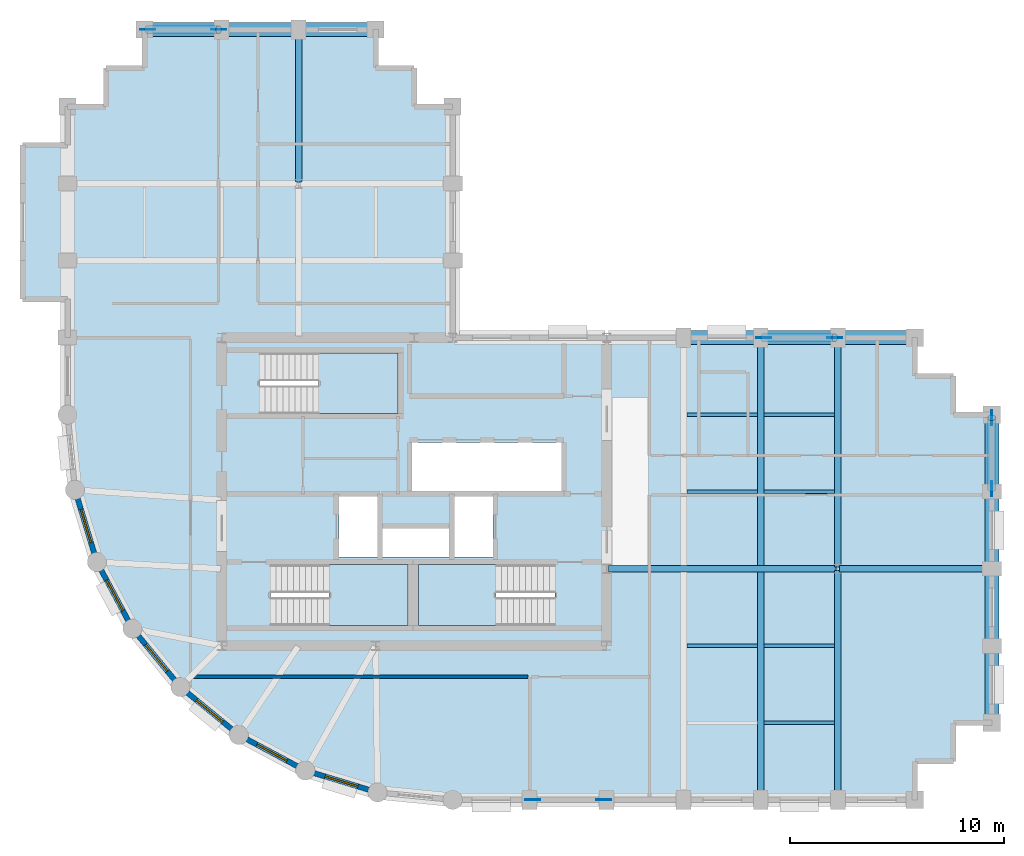
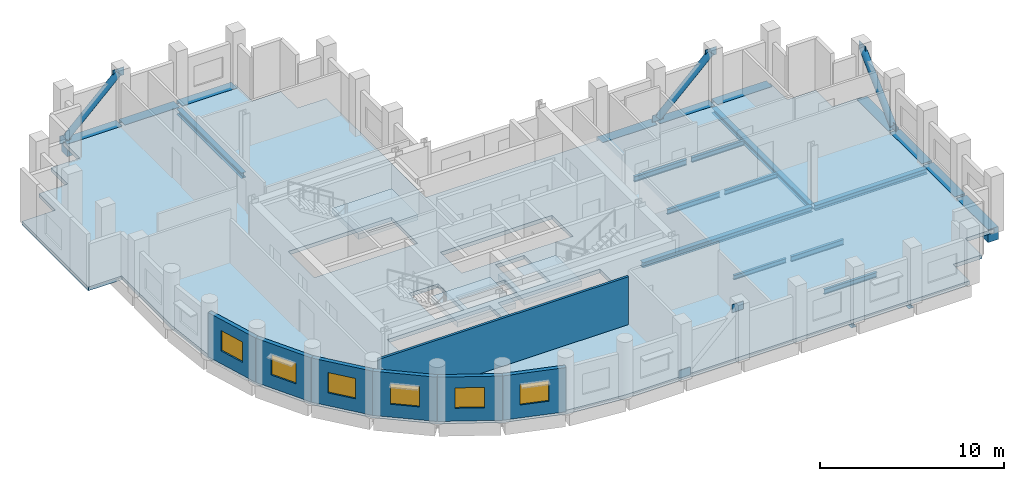
# One storey, part 2 of 8: 23 beams, 8 plates, 7 walls, 6 windows, 4 slabs, 3 members, 6 openings, 3 elements without a shape of their own.
"""IFC4 building model written with IfcOpenShell, lengths in metres."""

from ifc_helpers import new_model, si_unit, direction, frame, frame_2d, origin, origin_2d, place, context, subcontext, project, spatial, polyline, rectangle, hollow_circle, i_section, outline, extrude, material, layer, layer_set, material_profile, profile_set, type_object, element, fill, aggregate, save


model = new_model("IFC4")

# Units and contexts
model_context = context("Model", 3, precision=1e-05, world=origin(), true_north=direction((0.0, 1.0)))
body_context = subcontext(model_context, "Body", "Model", "MODEL_VIEW")
ifc_project = project(units=[si_unit("LENGTHUNIT", "METRE"), si_unit("AREAUNIT", "SQUARE_METRE"), si_unit("VOLUMEUNIT", "CUBIC_METRE"), si_unit("PLANEANGLEUNIT", "RADIAN"), si_unit("MASSUNIT", "GRAM", prefix="KILO")], contexts=[model_context])

# Site, building, storey
site_placement = place(None, origin())
site = spatial("IfcSite", under=ifc_project, at=site_placement, CompositionType="ELEMENT")
building_placement = place(site_placement, origin())
building = spatial("IfcBuilding", under=site, at=building_placement, Name="Solnavia Interchange Tower", CompositionType="ELEMENT")
storey_placement = place(building_placement, frame((0.0, 0.0, 197.60009765625)))
storey = spatial("IfcBuildingStorey", under=building, at=storey_placement, Name="L49", CompositionType="ELEMENT", Elevation=197.60009765625)

# Beams
ifc_material_1 = material(Name="Steel S460", Category="steel")
ifc_material_profile_1 = material_profile(ifc_material_1, i_section(OverallWidth=0.300048828125, OverallDepth=0.360107421875, WebThickness=0.012451171875, FlangeThickness=0.0224609375, FilletRadius=0.027099609375, at=origin_2d()), Name="HEB 360")
ifc_profile_set_1 = profile_set([ifc_material_profile_1], Name="Steel S460")
beam_type_1 = type_object("IfcBeamType", Name="Beam-Girder-HEB360", PredefinedType="BEAM", material=ifc_profile_set_1)
beam_1_placement = place(storey_placement, frame((32.47998046875, 14.39990234375, -0.43017578125), z_axis=(1.0, 0.0, 0.0), x_axis=(0.0, 1.0, 0.0)))
element("IfcBeam", 1, at=beam_1_placement, inside=storey, type_object=beam_type_1, Name="GRD-L49-ES01 East wing spine girder", PredefinedType="BEAM", context=body_context, shape_type="SweptSolid", body=[
    extrude(i_section(OverallWidth=0.300048828125, OverallDepth=0.360107421875, WebThickness=0.012451171875, FlangeThickness=0.0224609375, FilletRadius=0.027099609375, at=origin_2d()), origin(), (0.0, 0.0, 1.0), 10.64013671875),
])
beam_2_placement = place(storey_placement, frame((43.280029296875, 14.39990234375, -0.43017578125), z_axis=(1.0, 0.0, 0.0), x_axis=(0.0, 1.0, 0.0)))
element("IfcBeam", 2, at=beam_2_placement, inside=storey, type_object=beam_type_1, Name="GRD-L49-ES02 East wing spine girder", PredefinedType="BEAM", context=body_context, shape_type="SweptSolid", body=[
    extrude(i_section(OverallWidth=0.300048828125, OverallDepth=0.360107421875, WebThickness=0.012451171875, FlangeThickness=0.0224609375, FilletRadius=0.027099609375, at=origin_2d()), origin(), (0.0, 0.0, 1.0), 7.0400390625),
])
beam_3_placement = place(storey_placement, frame((39.60009765625, 3.679931640625, -0.43017578125), z_axis=(0.0, 1.0, 0.0), x_axis=(-1.0, 0.0, 0.0)))
element("IfcBeam", 3, at=beam_3_placement, inside=storey, type_object=beam_type_1, Name="GRD-L49-EW04 East wing primary floor girder", PredefinedType="BEAM", context=body_context, shape_type="SweptSolid", body=[
    extrude(i_section(OverallWidth=0.300048828125, OverallDepth=0.360107421875, WebThickness=0.012451171875, FlangeThickness=0.0224609375, FilletRadius=0.027099609375, at=origin_2d()), origin(), (0.0, 0.0, 1.0), 21.440185546875),
])
beam_4_placement = place(storey_placement, frame((18.0, 32.47998046875, -0.43017578125), z_axis=(0.0, 1.0, 0.0), x_axis=(-1.0, 0.0, 0.0)))
element("IfcBeam", 4, at=beam_4_placement, inside=storey, type_object=beam_type_1, Name="GRD-L49-NS08 North wing spine girder", PredefinedType="BEAM", context=body_context, shape_type="SweptSolid", body=[
    extrude(i_section(OverallWidth=0.300048828125, OverallDepth=0.360107421875, WebThickness=0.012451171875, FlangeThickness=0.0224609375, FilletRadius=0.027099609375, at=origin_2d()), origin(), (0.0, 0.0, 1.0), 7.0400390625),
])
ifc_material_2 = material(Name="Steel S355", Category="steel")
ifc_material_profile_2 = material_profile(ifc_material_2, i_section(OverallWidth=0.14990234375, OverallDepth=0.300048828125, WebThickness=0.007080078125, FlangeThickness=0.0107421875, FilletRadius=0.014892578125, at=origin_2d()), Name="IPE 300")
ifc_profile_set_2 = profile_set([ifc_material_profile_2], Name="Steel S355")
beam_type_2 = type_object("IfcBeamType", Name="Beam-Joist-IPE300", PredefinedType="JOIST", material=ifc_profile_set_2)
for number, where, z_axis, x_axis, name in (
    (5, (36.14990234375, 10.800048828125, -0.400146484375), (1.0, 0.0, 0.0), (0.0, 1.0, 0.0), "JST-L49-E03 East wing secondary joist"),
    (6, (39.75, 18.0, -0.400146484375), (1.0, 0.0, 0.0), (0.0, 1.0, 0.0), "JST-L49-E06 East wing secondary joist"),
):
    element("IfcBeam", number, at=place(storey_placement, frame(where, z_axis=z_axis, x_axis=x_axis)), inside=storey, type_object=beam_type_2, Name=name, PredefinedType="JOIST", context=body_context, shape_type="SweptSolid", body=[
        extrude(i_section(OverallWidth=0.14990234375, OverallDepth=0.300048828125, WebThickness=0.007080078125, FlangeThickness=0.0107421875, FilletRadius=0.014892578125, at=origin_2d()), origin(), (0.0, 0.0, 1.0), 3.300048828125),
    ])
ifc_material_profile_3 = material_profile(ifc_material_2, i_section(OverallWidth=0.159912109375, OverallDepth=0.330078125, WebThickness=0.007568359375, FlangeThickness=0.011474609375, FilletRadius=0.01806640625, at=origin_2d()), Name="IPE 330")
ifc_profile_set_3 = profile_set([ifc_material_profile_3], Name="Steel S355")
beam_type_3 = type_object("IfcBeamType", Name="Beam-Joist-IPE330", PredefinedType="JOIST", material=ifc_profile_set_3)
for number, where, z_axis, x_axis, name in (
    (7, (39.75, 7.199951171875, -0.4150390625), (1.0, 0.0, 0.0), (0.0, 1.0, 0.0), "JST-L49-E02 East wing secondary joist"),
    (8, (36.14990234375, 18.0, -0.4150390625), (1.0, 0.0, 0.0), (0.0, 1.0, 0.0), "JST-L49-E05 East wing secondary joist"),
    (9, (39.75, 21.60009765625, -0.4150390625), (1.0, 0.0, 0.0), (0.0, 1.0, 0.0), "JST-L49-E08 East wing secondary joist"),
):
    element("IfcBeam", number, at=place(storey_placement, frame(where, z_axis=z_axis, x_axis=x_axis)), inside=storey, type_object=beam_type_3, Name=name, PredefinedType="JOIST", context=body_context, shape_type="SweptSolid", body=[
        extrude(i_section(OverallWidth=0.159912109375, OverallDepth=0.330078125, WebThickness=0.007568359375, FlangeThickness=0.011474609375, FilletRadius=0.01806640625, at=origin_2d()), origin(), (0.0, 0.0, 1.0), 3.300048828125),
    ])
ifc_material_profile_4 = material_profile(ifc_material_2, i_section(OverallWidth=0.169921875, OverallDepth=0.360107421875, WebThickness=0.008056640625, FlangeThickness=0.0126953125, FilletRadius=0.01806640625, at=origin_2d()), Name="IPE 360")
ifc_profile_set_4 = profile_set([ifc_material_profile_4], Name="Steel S355")
beam_type_4 = type_object("IfcBeamType", Name="Beam-Joist-IPE360", PredefinedType="JOIST", material=ifc_profile_set_4)
for number, where, z_axis, x_axis, name in (
    (10, (39.75, 10.800048828125, -0.43017578125), (1.0, 0.0, 0.0), (0.0, 1.0, 0.0), "JST-L49-E04 East wing secondary joist"),
    (11, (36.14990234375, 21.60009765625, -0.43017578125), (1.0, 0.0, 0.0), (0.0, 1.0, 0.0), "JST-L49-E07 East wing secondary joist"),
):
    element("IfcBeam", number, at=place(storey_placement, frame(where, z_axis=z_axis, x_axis=x_axis)), inside=storey, type_object=beam_type_4, Name=name, PredefinedType="JOIST", context=body_context, shape_type="SweptSolid", body=[
        extrude(i_section(OverallWidth=0.169921875, OverallDepth=0.360107421875, WebThickness=0.008056640625, FlangeThickness=0.0126953125, FilletRadius=0.01806640625, at=origin_2d()), origin(), (0.0, 0.0, 1.0), 3.300048828125),
    ])
ifc_material_profile_5 = material_profile(ifc_material_2, i_section(OverallWidth=0.300048828125, OverallDepth=0.35009765625, WebThickness=0.010009765625, FlangeThickness=0.017578125, FilletRadius=0.027099609375, at=origin_2d()), Name="HEA 360")
ifc_profile_set_5 = profile_set([ifc_material_profile_5], Name="Steel S355")
beam_type_5 = type_object("IfcBeamType", Name="Beam-Primary-HEA360", PredefinedType="BEAM", material=ifc_profile_set_5)
for number, where, z_axis, x_axis, name in (
    (12, (43.199951171875, 3.679931640625, -0.425048828125), (0.0, 1.0, 0.0), (-1.0, 0.0, 0.0), "GRD-L49-EW05 East wing primary floor girder"),
    (13, (43.199951171875, 14.47998046875, -0.425048828125), (0.0, 1.0, 0.0), (-1.0, 0.0, 0.0), "GRD-L49-EW06 East wing primary floor girder"),
):
    element("IfcBeam", number, at=place(storey_placement, frame(where, z_axis=z_axis, x_axis=x_axis)), inside=storey, type_object=beam_type_5, Name=name, PredefinedType="BEAM", context=body_context, shape_type="SweptSolid", body=[
        extrude(i_section(OverallWidth=0.300048828125, OverallDepth=0.35009765625, WebThickness=0.010009765625, FlangeThickness=0.017578125, FilletRadius=0.027099609375, at=origin_2d()), origin(), (0.0, 0.0, 1.0), 10.64013671875),
    ])
ifc_material_3 = material(Name="Concrete C50/60", Category="concrete")
ifc_material_profile_6 = material_profile(ifc_material_3, rectangle(XDim=0.64990234375, YDim=0.85009765625, at=origin_2d()), Name="RC 650x850")
ifc_profile_set_6 = profile_set([ifc_material_profile_6], Name="Concrete C50/60")
beam_type_6 = type_object("IfcBeamType", Name="Beam-Spandrel-RC650x850", PredefinedType="SPANDREL", material=ifc_profile_set_6)
beam_5_placement = place(storey_placement, frame((50.39990234375, 7.280029296875, -0.425048828125), z_axis=(0.0, 1.0, 0.0), x_axis=(-1.0, 0.0, 0.0)))
element("IfcBeam", 14, at=beam_5_placement, inside=storey, type_object=beam_type_6, Name="SPB-L49-15 Framed-tube perimeter spandrel beam", PredefinedType="SPANDREL", context=body_context, shape_type="SweptSolid", body=[
    extrude(rectangle(XDim=0.64990234375, YDim=0.85009765625, at=origin_2d()), origin(), (0.0, 0.0, 1.0), 3.43994140625),
])
beam_6_placement = place(storey_placement, frame((50.39990234375, 10.8798828125, -0.425048828125), z_axis=(0.0, 1.0, 0.0), x_axis=(-1.0, 0.0, 0.0)))
element("IfcBeam", 15, at=beam_6_placement, inside=storey, type_object=beam_type_6, Name="SPB-L49-16 Framed-tube perimeter spandrel beam", PredefinedType="SPANDREL", context=body_context, shape_type="SweptSolid", body=[
    extrude(rectangle(XDim=0.64990234375, YDim=0.85009765625, at=origin_2d()), origin(), (0.0, 0.0, 1.0), 3.440185546875),
])
for number, where, z_axis, x_axis, name in (
    (16, (50.39990234375, 14.47998046875, -0.425048828125), (0.0, 1.0, 0.0), (-1.0, 0.0, 0.0), "SPB-L49-17 Framed-tube perimeter spandrel beam"),
    (17, (50.39990234375, 18.080078125, -0.425048828125), (0.0, 1.0, 0.0), (-1.0, 0.0, 0.0), "SPB-L49-18 Framed-tube perimeter spandrel beam"),
    (18, (46.719970703125, 25.199951171875, -0.425048828125), (-1.0, 0.0, 0.0), (0.0, -1.0, 0.0), "SPB-L49-19 Framed-tube perimeter spandrel beam"),
):
    element("IfcBeam", number, at=place(storey_placement, frame(where, z_axis=z_axis, x_axis=x_axis)), inside=storey, type_object=beam_type_6, Name=name, PredefinedType="SPANDREL", context=body_context, shape_type="SweptSolid", body=[
        extrude(rectangle(XDim=0.64990234375, YDim=0.85009765625, at=origin_2d()), origin(), (0.0, 0.0, 1.0), 3.43994140625),
    ])
beam_7_placement = place(storey_placement, frame((43.1201171875, 25.199951171875, -0.425048828125), z_axis=(-1.0, 0.0, 0.0), x_axis=(0.0, -1.0, 0.0)))
element("IfcBeam", 19, at=beam_7_placement, inside=storey, type_object=beam_type_6, Name="SPB-L49-20 Framed-tube perimeter spandrel beam", PredefinedType="SPANDREL", context=body_context, shape_type="SweptSolid", body=[
    extrude(rectangle(XDim=0.64990234375, YDim=0.85009765625, at=origin_2d()), origin(), (0.0, 0.0, 1.0), 3.440185546875),
])
for number, where, z_axis, x_axis, name in (
    (20, (39.52001953125, 25.199951171875, -0.425048828125), (-1.0, 0.0, 0.0), (0.0, -1.0, 0.0), "SPB-L49-21 Framed-tube perimeter spandrel beam"),
    (21, (21.52001953125, 39.60009765625, -0.425048828125), (-1.0, 0.0, 0.0), (0.0, -1.0, 0.0), "SPB-L49-27 Framed-tube perimeter spandrel beam"),
    (22, (17.919921875, 39.60009765625, -0.425048828125), (-1.0, 0.0, 0.0), (0.0, -1.0, 0.0), "SPB-L49-28 Framed-tube perimeter spandrel beam"),
):
    element("IfcBeam", number, at=place(storey_placement, frame(where, z_axis=z_axis, x_axis=x_axis)), inside=storey, type_object=beam_type_6, Name=name, PredefinedType="SPANDREL", context=body_context, shape_type="SweptSolid", body=[
        extrude(rectangle(XDim=0.64990234375, YDim=0.85009765625, at=origin_2d()), origin(), (0.0, 0.0, 1.0), 3.43994140625),
    ])
beam_8_placement = place(storey_placement, frame((14.320068359375, 39.60009765625, -0.425048828125), z_axis=(-1.0, 0.0, 0.0), x_axis=(0.0, -1.0, 0.0)))
element("IfcBeam", 23, at=beam_8_placement, inside=storey, type_object=beam_type_6, Name="SPB-L49-29 Framed-tube perimeter spandrel beam", PredefinedType="SPANDREL", context=body_context, shape_type="SweptSolid", body=[
    extrude(rectangle(XDim=0.64990234375, YDim=0.85009765625, at=origin_2d()), origin(), (0.0, 0.0, 1.0), 3.440185546875),
])

# Members
ifc_material_profile_7 = material_profile(ifc_material_1, hollow_circle(Radius=0.203125, WallThickness=0.02001953125, at=origin_2d()), Name="CHS 406.4x20")
ifc_profile_set_7 = profile_set([ifc_material_profile_7], Name="Steel S460")
member_type = type_object("IfcMemberType", Name="Brace-Perim-CHS406", PredefinedType="BRACE", material=ifc_profile_set_7)
for number, where, z_axis, x_axis, name in (
    (24, (50.39990234375, 18.139892578125, 0.179931640625), (0.0, 0.721096918576, 0.692834203847), (-1.0, 0.0, 0.0), "BRC-L49-02 Perimeter tube diagonal brace"),
    (25, (10.93994140625, 39.60009765625, 0.179931640625), (0.721096918576, 0.0, 0.692834203847), (0.0, 1.0, 0.0), "BRC-L49-03 Perimeter tube diagonal brace"),
    (26, (39.739990234375, 25.199951171875, 0.179931640625), (0.721096918576, 0.0, 0.692834203847), (0.0, 1.0, 0.0), "BRC-L49-04 Perimeter tube diagonal brace"),
):
    element("IfcMember", number, at=place(storey_placement, frame(where, z_axis=z_axis, x_axis=x_axis)), inside=storey, type_object=member_type, Name=name, PredefinedType="BRACE", context=body_context, shape_type="SweptSolid", body=[
        extrude(hollow_circle(Radius=0.203125, WallThickness=0.02001953125, at=origin_2d()), origin(), (0.0, 0.0, 1.0), 4.604248046875),
    ])

# Plates
ifc_layer_1 = layer(ifc_material_1, 0.030029296875)
ifc_layer_set_1 = layer_set([ifc_layer_1], Name="Steel S460")
plate_type = type_object("IfcPlateType", Name="Plate-Gusset-700x520x30", PredefinedType="USERDEFINED", material=ifc_layer_set_1)
for number, where, z_axis, x_axis, name in (
    (27, (28.93994140625, 3.60009765625, -0.080078125), (0.0, 0.0, 1.0), (1.0, 0.0, 0.0), "PLT-L49-GP01 Perimeter brace gusset plate"),
    (28, (32.260009765625, 3.60009765625, 3.10986328125), (0.0, 0.0, 1.0), (1.0, 0.0, 0.0), "PLT-L49-GP02 Perimeter brace gusset plate"),
    (29, (50.39990234375, 18.139892578125, -0.080078125), (0.0, 0.0, 1.0), (0.0, 1.0, 0.0), "PLT-L49-GP03 Perimeter brace gusset plate"),
    (30, (50.39990234375, 21.4599609375, 3.10986328125), (0.0, 0.0, 1.0), (0.0, 1.0, 0.0), "PLT-L49-GP04 Perimeter brace gusset plate"),
    (31, (10.93994140625, 39.60009765625, -0.080078125), (0.0, 0.0, 1.0), (1.0, 0.0, 0.0), "PLT-L49-GP05 Perimeter brace gusset plate"),
    (32, (14.260009765625, 39.60009765625, 3.10986328125), (0.0, 0.0, 1.0), (1.0, 0.0, 0.0), "PLT-L49-GP06 Perimeter brace gusset plate"),
    (33, (39.739990234375, 25.199951171875, -0.080078125), (0.0, 0.0, 1.0), (1.0, 0.0, 0.0), "PLT-L49-GP07 Perimeter brace gusset plate"),
    (34, (43.06005859375, 25.199951171875, 3.10986328125), (0.0, 0.0, 1.0), (1.0, 0.0, 0.0), "PLT-L49-GP08 Perimeter brace gusset plate"),
):
    element("IfcPlate", number, at=place(storey_placement, frame(where, z_axis=z_axis, x_axis=x_axis)), inside=storey, type_object=plate_type, Name=name, ObjectType="GUSSET PLATE", PredefinedType="USERDEFINED", context=body_context, shape_type="SweptSolid", body=[
        extrude(rectangle(XDim=0.699951171875, YDim=0.030029296875, at=origin_2d()), origin(), (0.0, 0.0, 1.0), 0.52001953125),
    ])

# Stair, slab
ifc_material_4 = material(Name="Concrete C40/50", Category="concrete")
stair_type = type_object("IfcStairType", Name="Stair-Dogleg-RC", PredefinedType="HALF_TURN_STAIR", material=ifc_material_4)
stair_1_placement = place(storey_placement, origin())
stair_1 = element("IfcStair", 35, at=stair_1_placement, inside=storey, type_object=stair_type, Name="L49 Core exit stair 1", PredefinedType="HALF_TURN_STAIR")
ifc_layer_2 = layer(ifc_material_4, 0.35009765625)
ifc_layer_set_2 = layer_set([ifc_layer_2], Name="Concrete C40/50")
slab_type_1 = type_object("IfcSlabType", Name="Slab-StairLanding-350", PredefinedType="LANDING", material=ifc_layer_set_2)
slab_1_placement = place(storey_placement, frame((0.0, 0.0, 1.5498046875)))
slab_1 = element("IfcSlab", 36, at=slab_1_placement, type_object=slab_type_1, Name="ST-1 landing 1", PredefinedType="LANDING", context=body_context, shape_type="SweptSolid", body=[
    extrude(outline(polyline([(19.427978515625, 11.75), (23.10009765625, 11.75), (23.10009765625, 14.590087890625), (19.427978515625, 14.590087890625), (19.427978515625, 11.75)])), origin(), (0.0, 0.0, 1.0), 0.35009765625),
])
aggregate(stair_1, [slab_1])

stair_2_placement = place(storey_placement, origin())
stair_2 = element("IfcStair", 37, at=stair_2_placement, inside=storey, type_object=stair_type, Name="L49 Core exit stair 2", PredefinedType="HALF_TURN_STAIR")
slab_2_placement = place(storey_placement, frame((0.0, 0.0, 1.5498046875)))
slab_2 = element("IfcSlab", 38, at=slab_2_placement, type_object=slab_type_1, Name="ST-2 landing 1", PredefinedType="LANDING", context=body_context, shape_type="SweptSolid", body=[
    extrude(outline(polyline([(23.60009765625, 11.75), (27.221923828125, 11.75), (27.221923828125, 14.590087890625), (23.60009765625, 14.590087890625), (23.60009765625, 11.75)])), origin(), (0.0, 0.0, 1.0), 0.35009765625),
])
aggregate(stair_2, [slab_2])

stair_3_placement = place(storey_placement, origin())
stair_3 = element("IfcStair", 39, at=stair_3_placement, inside=storey, type_object=stair_type, Name="L49 Core exit stair 3", PredefinedType="HALF_TURN_STAIR")
slab_3_placement = place(storey_placement, frame((0.0, 0.0, 1.5498046875)))
slab_3 = element("IfcSlab", 40, at=slab_3_placement, type_object=slab_type_1, Name="ST-3 landing 1", PredefinedType="LANDING", context=body_context, shape_type="SweptSolid", body=[
    extrude(outline(polyline([(18.927978515625, 21.64990234375), (22.64990234375, 21.64990234375), (22.64990234375, 24.489990234375), (18.927978515625, 24.489990234375), (18.927978515625, 21.64990234375)])), origin(), (0.0, 0.0, 1.0), 0.35009765625),
])
aggregate(stair_3, [slab_3])

# Slab
ifc_layer_3 = layer(ifc_material_4, 0.25)
ifc_layer_set_3 = layer_set([ifc_layer_3], Name="Concrete C40/50")
slab_type_2 = type_object("IfcSlabType", Name="Slab-Tower-250", PredefinedType="FLOOR", material=ifc_layer_set_3)
slab_4_placement = place(storey_placement, frame((0.0, 0.0, -0.25)))
element("IfcSlab", 41, at=slab_4_placement, inside=storey, type_object=slab_type_2, Name="SLB-L49-01 Structural floor slab", PredefinedType="FLOOR", context=body_context, shape_type="SweptSolid", body=[
    extrude(outline(polyline([(25.199951171875, 3.60009765625), (46.800048828125, 3.60009765625), (46.800048828125, 5.39990234375), (48.60009765625, 5.39990234375), (48.60009765625, 7.199951171875), (50.39990234375, 7.199951171875), (50.39990234375, 21.60009765625), (48.60009765625, 21.60009765625), (48.60009765625, 23.39990234375), (46.800048828125, 23.39990234375), (46.800048828125, 25.199951171875), (25.199951171875, 25.199951171875), (25.199951171875, 36.0), (23.39990234375, 36.0), (23.39990234375, 37.800048828125), (21.60009765625, 37.800048828125), (21.60009765625, 39.60009765625), (10.800048828125, 39.60009765625), (10.800048828125, 37.800048828125), (9.0, 37.800048828125), (9.0, 36.0), (7.199951171875, 36.0), (7.199951171875, 34.199951171875), (5.10009765625, 34.199951171875), (5.10009765625, 27.0), (7.199951171875, 27.0), (7.199951171875, 21.60009765625), (7.5458984375, 18.087890625), (8.570068359375, 14.7119140625), (10.23388671875, 11.60009765625), (12.471923828125, 8.8720703125), (15.199951171875, 6.634033203125), (18.31201171875, 4.969970703125), (21.68798828125, 3.946044921875), (25.199951171875, 3.60009765625)]), holes=[polyline([(16.675048828125, 11.75), (23.10009765625, 11.75), (23.10009765625, 14.590087890625), (16.675048828125, 14.590087890625), (16.675048828125, 11.75)]), polyline([(23.60009765625, 11.75), (29.97509765625, 11.75), (29.97509765625, 14.590087890625), (23.60009765625, 14.590087890625), (23.60009765625, 11.75)]), polyline([(16.175048828125, 21.64990234375), (22.64990234375, 21.64990234375), (22.64990234375, 24.489990234375), (16.175048828125, 24.489990234375), (16.175048828125, 21.64990234375)]), polyline([(19.8798828125, 14.9599609375), (21.679931640625, 14.9599609375), (21.679931640625, 17.780029296875), (19.8798828125, 17.780029296875), (19.8798828125, 14.9599609375)]), polyline([(25.280029296875, 14.9599609375), (27.080078125, 14.9599609375), (27.080078125, 17.780029296875), (25.280029296875, 17.780029296875), (25.280029296875, 14.9599609375)]), polyline([(21.919921875, 14.9599609375), (25.02001953125, 14.9599609375), (25.02001953125, 16.280029296875), (21.919921875, 16.280029296875), (21.919921875, 14.9599609375)]), polyline([(23.300048828125, 18.02001953125), (30.280029296875, 18.02001953125), (30.280029296875, 20.300048828125), (23.300048828125, 20.300048828125), (23.300048828125, 18.02001953125)])]), origin(), (0.0, 0.0, 1.0), 0.25),
])

# Wall, opening, window
ifc_layer_4 = layer(ifc_material_4, 0.25)
ifc_layer_set_4 = layer_set([ifc_layer_4], Name="Concrete C40/50")
wall_type_1 = type_object("IfcWallType", Name="Wall-ExtSpandrel-250", PredefinedType="STANDARD", material=ifc_layer_set_4)
wall_1_placement = place(storey_placement, frame((8.570068359375, 14.7119140625, 0.0), z_axis=(0.0, 0.0, 1.0), x_axis=(-0.290305086481, 0.956934144423, 0.0)))
wall_1 = element("IfcWall", 42, at=wall_1_placement, inside=storey, type_object=wall_type_1, Name="EXW-L49-48 Exterior precast spandrel wall", PredefinedType="STANDARD", context=body_context, shape_type="SweptSolid", body=[
    extrude(rectangle(XDim=3.52783203125, YDim=0.25, at=frame_2d((1.763916015625, 0.0))), origin(), (0.0, 0.0, 1.0), 2.929931640625),
])
opening_1_placement = place(wall_1_placement, frame((0.964111328125, 0.0, 0.85009765625)))
opening_1 = element("IfcOpeningElement", 43, at=opening_1_placement, cuts=wall_1, Name="Opening WIN-04", PredefinedType="OPENING", context=body_context, shape_type="SweptSolid", body=[
    extrude(rectangle(XDim=1.60009765625, YDim=1.35009765625, at=frame_2d((0.800048828125, 0.675048828125))), frame((0.0, 0.135009765625, 0.0), z_axis=(0.0, -1.0, 0.0), x_axis=(1.0, 0.0, 0.0)), (0.0, 0.0, 1.0), 0.27001953125),
])
ifc_material_5 = material(Name="Thermal-Break Aluminium & Low-E Glass", Category="aluminium")
window_type = type_object("IfcWindowType", Name="Window-Drum-1600x1350", PartitioningType="SINGLE_PANEL", PredefinedType="WINDOW", material=ifc_material_5)
window_1_placement = place(opening_1_placement, origin())
window_1 = element("IfcWindow", 44, at=window_1_placement, inside=storey, type_object=window_type, Name="WIN-L49-48 Facade ribbon window", OverallHeight=1.35009765625, OverallWidth=1.60009765625, PartitioningType="SINGLE_PANEL", PredefinedType="WINDOW", context=body_context, shape_type="SweptSolid", body=[
    extrude(rectangle(XDim=1.60009765625, YDim=1.35009765625, at=frame_2d((0.800048828125, 0.675048828125))), frame((0.0, 0.030029296875, 0.0), z_axis=(0.0, -1.0, 0.0), x_axis=(1.0, 0.0, 0.0)), (0.0, 0.0, 1.0), 0.06005859375),
])
fill(opening_1, window_1)

wall_2_placement = place(storey_placement, frame((10.23388671875, 11.60009765625, 0.0), z_axis=(0.0, 0.0, 1.0), x_axis=(-0.47151087309, 0.881860247748, 0.0)))
wall_2 = element("IfcWall", 45, at=wall_2_placement, inside=storey, type_object=wall_type_1, Name="EXW-L49-49 Exterior precast spandrel wall", PredefinedType="STANDARD", context=body_context, shape_type="SweptSolid", body=[
    extrude(rectangle(XDim=3.52880859375, YDim=0.25, at=frame_2d((1.764404296875, 0.0))), origin(), (0.0, 0.0, 1.0), 2.929931640625),
])
opening_2_placement = place(wall_2_placement, frame((0.964111328125, 0.0, 0.85009765625)))
opening_2 = element("IfcOpeningElement", 46, at=opening_2_placement, cuts=wall_2, Name="Opening WIN-04", PredefinedType="OPENING", context=body_context, shape_type="SweptSolid", body=[
    extrude(rectangle(XDim=1.60009765625, YDim=1.35009765625, at=frame_2d((0.800048828125, 0.675048828125))), frame((0.0, 0.135009765625, 0.0), z_axis=(0.0, -1.0, 0.0), x_axis=(1.0, 0.0, 0.0)), (0.0, 0.0, 1.0), 0.27001953125),
])
window_2_placement = place(opening_2_placement, origin())
window_2 = element("IfcWindow", 47, at=window_2_placement, inside=storey, type_object=window_type, Name="WIN-L49-49 Facade ribbon window", OverallHeight=1.35009765625, OverallWidth=1.60009765625, PartitioningType="SINGLE_PANEL", PredefinedType="WINDOW", context=body_context, shape_type="SweptSolid", body=[
    extrude(rectangle(XDim=1.60009765625, YDim=1.35009765625, at=frame_2d((0.800048828125, 0.675048828125))), frame((0.0, 0.030029296875, 0.0), z_axis=(0.0, -1.0, 0.0), x_axis=(1.0, 0.0, 0.0)), (0.0, 0.0, 1.0), 0.06005859375),
])
fill(opening_2, window_2)

wall_3_placement = place(storey_placement, frame((12.471923828125, 8.8720703125, 0.0), z_axis=(0.0, 0.0, 1.0), x_axis=(-0.634258295121, 0.773121216285, 0.0)))
wall_3 = element("IfcWall", 48, at=wall_3_placement, inside=storey, type_object=wall_type_1, Name="EXW-L49-50 Exterior precast spandrel wall", PredefinedType="STANDARD", context=body_context, shape_type="SweptSolid", body=[
    extrude(rectangle(XDim=3.528564453125, YDim=0.25, at=frame_2d((1.76416015625, 0.0))), origin(), (0.0, 0.0, 1.0), 2.929931640625),
])
opening_3_placement = place(wall_3_placement, frame((0.964111328125, 0.0, 0.85009765625)))
opening_3 = element("IfcOpeningElement", 49, at=opening_3_placement, cuts=wall_3, Name="Opening WIN-04", PredefinedType="OPENING", context=body_context, shape_type="SweptSolid", body=[
    extrude(rectangle(XDim=1.60009765625, YDim=1.35009765625, at=frame_2d((0.800048828125, 0.675048828125))), frame((0.0, 0.135009765625, 0.0), z_axis=(0.0, -1.0, 0.0), x_axis=(1.0, 0.0, 0.0)), (0.0, 0.0, 1.0), 0.27001953125),
])
window_3_placement = place(opening_3_placement, origin())
window_3 = element("IfcWindow", 50, at=window_3_placement, inside=storey, type_object=window_type, Name="WIN-L49-50 Facade ribbon window", OverallHeight=1.35009765625, OverallWidth=1.60009765625, PartitioningType="SINGLE_PANEL", PredefinedType="WINDOW", context=body_context, shape_type="SweptSolid", body=[
    extrude(rectangle(XDim=1.60009765625, YDim=1.35009765625, at=frame_2d((0.800048828125, 0.675048828125))), frame((0.0, 0.030029296875, 0.0), z_axis=(0.0, -1.0, 0.0), x_axis=(1.0, 0.0, 0.0)), (0.0, 0.0, 1.0), 0.06005859375),
])
fill(opening_3, window_3)

wall_4_placement = place(storey_placement, frame((15.199951171875, 6.634033203125, 0.0), z_axis=(0.0, 0.0, 1.0), x_axis=(-0.773121216285, 0.634258295121, 0.0)))
wall_4 = element("IfcWall", 51, at=wall_4_placement, inside=storey, type_object=wall_type_1, Name="EXW-L49-51 Exterior precast spandrel wall", PredefinedType="STANDARD", context=body_context, shape_type="SweptSolid", body=[
    extrude(rectangle(XDim=3.528564453125, YDim=0.25, at=frame_2d((1.76416015625, 0.0))), origin(), (0.0, 0.0, 1.0), 2.929931640625),
])
opening_4_placement = place(wall_4_placement, frame((0.964111328125, 0.0, 0.85009765625)))
opening_4 = element("IfcOpeningElement", 52, at=opening_4_placement, cuts=wall_4, Name="Opening WIN-04", PredefinedType="OPENING", context=body_context, shape_type="SweptSolid", body=[
    extrude(rectangle(XDim=1.60009765625, YDim=1.35009765625, at=frame_2d((0.800048828125, 0.675048828125))), frame((0.0, 0.135009765625, 0.0), z_axis=(0.0, -1.0, 0.0), x_axis=(1.0, 0.0, 0.0)), (0.0, 0.0, 1.0), 0.27001953125),
])
window_4_placement = place(opening_4_placement, origin())
window_4 = element("IfcWindow", 53, at=window_4_placement, inside=storey, type_object=window_type, Name="WIN-L49-51 Facade ribbon window", OverallHeight=1.35009765625, OverallWidth=1.60009765625, PartitioningType="SINGLE_PANEL", PredefinedType="WINDOW", context=body_context, shape_type="SweptSolid", body=[
    extrude(rectangle(XDim=1.60009765625, YDim=1.35009765625, at=frame_2d((0.800048828125, 0.675048828125))), frame((0.0, 0.030029296875, 0.0), z_axis=(0.0, -1.0, 0.0), x_axis=(1.0, 0.0, 0.0)), (0.0, 0.0, 1.0), 0.06005859375),
])
fill(opening_4, window_4)

wall_5_placement = place(storey_placement, frame((18.31201171875, 4.969970703125, 0.0), z_axis=(0.0, 0.0, 1.0), x_axis=(-0.881846862014, 0.471535907389, 0.0)))
wall_5 = element("IfcWall", 54, at=wall_5_placement, inside=storey, type_object=wall_type_1, Name="EXW-L49-52 Exterior precast spandrel wall", PredefinedType="STANDARD", context=body_context, shape_type="SweptSolid", body=[
    extrude(rectangle(XDim=3.529052734375, YDim=0.25, at=frame_2d((1.7646484375, 0.0))), origin(), (0.0, 0.0, 1.0), 2.929931640625),
])
opening_5_placement = place(wall_5_placement, frame((0.964111328125, 0.0, 0.85009765625)))
opening_5 = element("IfcOpeningElement", 55, at=opening_5_placement, cuts=wall_5, Name="Opening WIN-04", PredefinedType="OPENING", context=body_context, shape_type="SweptSolid", body=[
    extrude(rectangle(XDim=1.60009765625, YDim=1.35009765625, at=frame_2d((0.800048828125, 0.675048828125))), frame((0.0, 0.135009765625, 0.0), z_axis=(0.0, -1.0, 0.0), x_axis=(1.0, 0.0, 0.0)), (0.0, 0.0, 1.0), 0.27001953125),
])
window_5_placement = place(opening_5_placement, origin())
window_5 = element("IfcWindow", 56, at=window_5_placement, inside=storey, type_object=window_type, Name="WIN-L49-52 Facade ribbon window", OverallHeight=1.35009765625, OverallWidth=1.60009765625, PartitioningType="SINGLE_PANEL", PredefinedType="WINDOW", context=body_context, shape_type="SweptSolid", body=[
    extrude(rectangle(XDim=1.60009765625, YDim=1.35009765625, at=frame_2d((0.800048828125, 0.675048828125))), frame((0.0, 0.030029296875, 0.0), z_axis=(0.0, -1.0, 0.0), x_axis=(1.0, 0.0, 0.0)), (0.0, 0.0, 1.0), 0.06005859375),
])
fill(opening_5, window_5)

wall_6_placement = place(storey_placement, frame((21.68798828125, 3.946044921875, 0.0), z_axis=(0.0, 0.0, 1.0), x_axis=(-0.956953367403, 0.290241714123, 0.0)))
wall_6 = element("IfcWall", 57, at=wall_6_placement, inside=storey, type_object=wall_type_1, Name="EXW-L49-53 Exterior precast spandrel wall", PredefinedType="STANDARD", context=body_context, shape_type="SweptSolid", body=[
    extrude(rectangle(XDim=3.52783203125, YDim=0.25, at=frame_2d((1.763916015625, 0.0))), origin(), (0.0, 0.0, 1.0), 2.929931640625),
])
opening_6_placement = place(wall_6_placement, frame((0.964111328125, 0.0, 0.85009765625)))
opening_6 = element("IfcOpeningElement", 58, at=opening_6_placement, cuts=wall_6, Name="Opening WIN-04", PredefinedType="OPENING", context=body_context, shape_type="SweptSolid", body=[
    extrude(rectangle(XDim=1.60009765625, YDim=1.35009765625, at=frame_2d((0.800048828125, 0.675048828125))), frame((0.0, 0.135009765625, 0.0), z_axis=(0.0, -1.0, 0.0), x_axis=(1.0, 0.0, 0.0)), (0.0, 0.0, 1.0), 0.27001953125),
])
window_6_placement = place(opening_6_placement, origin())
window_6 = element("IfcWindow", 59, at=window_6_placement, inside=storey, type_object=window_type, Name="WIN-L49-53 Facade ribbon window", OverallHeight=1.35009765625, OverallWidth=1.60009765625, PartitioningType="SINGLE_PANEL", PredefinedType="WINDOW", context=body_context, shape_type="SweptSolid", body=[
    extrude(rectangle(XDim=1.60009765625, YDim=1.35009765625, at=frame_2d((0.800048828125, 0.675048828125))), frame((0.0, 0.030029296875, 0.0), z_axis=(0.0, -1.0, 0.0), x_axis=(1.0, 0.0, 0.0)), (0.0, 0.0, 1.0), 0.06005859375),
])
fill(opening_6, window_6)

# Wall
ifc_material_6 = material(Name="Gypsum Plasterboard & Steel Stud", Category="steel")
ifc_layer_5 = layer(ifc_material_6, 0.14990234375)
ifc_layer_set_5 = layer_set([ifc_layer_5], Name="Gypsum Plasterboard & Steel Stud")
wall_type_2 = type_object("IfcWallType", Name="Wall-Partition-150", PredefinedType="PARTITIONING", material=ifc_layer_set_5)
wall_7_placement = place(storey_placement, frame((13.080078125, 9.35009765625, 0.0), z_axis=(0.0, 0.0, 1.0), x_axis=(1.0, 0.0, 0.0)))
element("IfcWall", 60, at=wall_7_placement, inside=storey, type_object=wall_type_2, Name="PTW-L49-10 Interior partition wall", PredefinedType="PARTITIONING", context=body_context, shape_type="SweptSolid", body=[
    extrude(rectangle(XDim=15.640869140625, YDim=0.14990234375, at=frame_2d((7.8203125, 0.0))), origin(), (0.0, 0.0, 1.0), 3.169921875),
])

save(model, "model.ifc")
